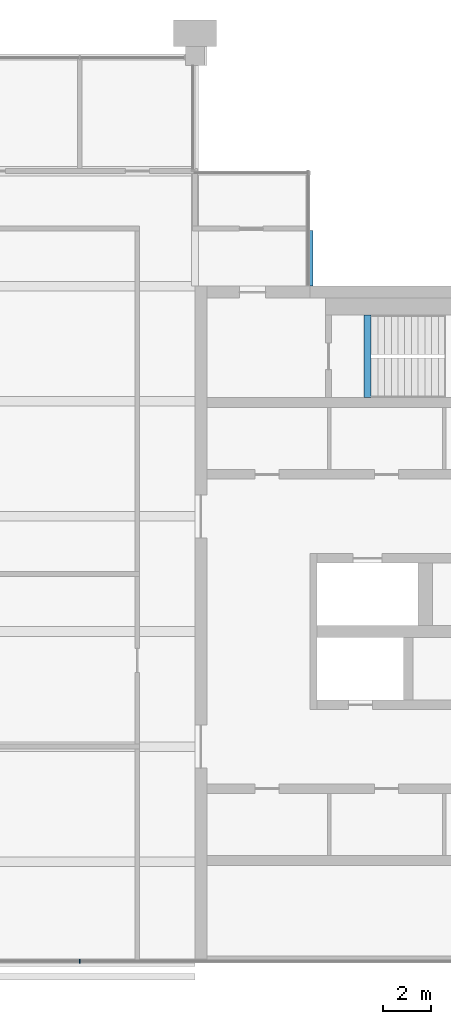
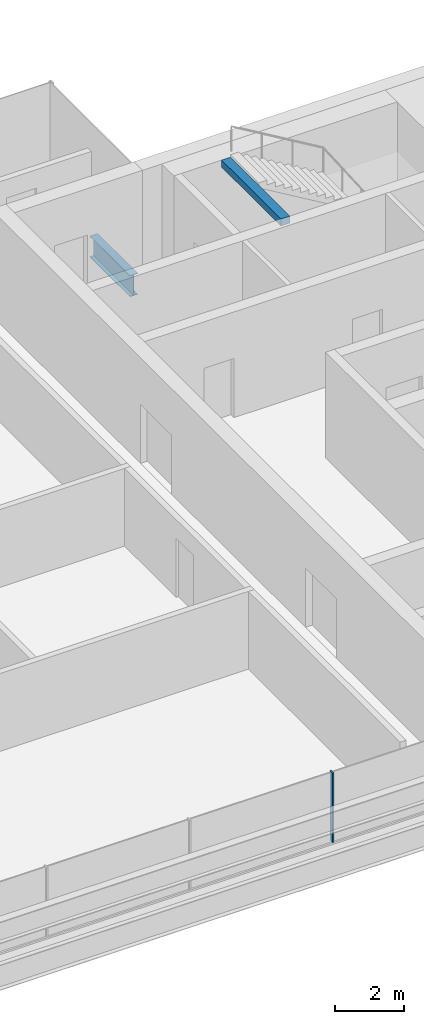
# One storey, part 6 of 12: 2 beams, 1 member, 1 element without a shape of its own.
"""IFC4 building model written with IfcOpenShell, lengths in metres."""

from ifc_helpers import new_model, si_unit, direction, frame, origin, origin_2d, place, context, subcontext, project, spatial, rectangle, i_section, extrude, material, material_profile, profile_set, type_object, element, aggregate, save


model = new_model("IFC4")

# Units and contexts
model_context = context("Model", 3, precision=1e-05, world=origin(), true_north=direction((0.0, 1.0)))
body_context = subcontext(model_context, "Body", "Model", "MODEL_VIEW")
ifc_project = project(units=[si_unit("LENGTHUNIT", "METRE"), si_unit("AREAUNIT", "SQUARE_METRE"), si_unit("VOLUMEUNIT", "CUBIC_METRE"), si_unit("PLANEANGLEUNIT", "RADIAN"), si_unit("MASSUNIT", "GRAM", prefix="KILO")], contexts=[model_context])

# Site, building, storey
site_placement = place(None, origin())
site = spatial("IfcSite", under=ifc_project, at=site_placement, CompositionType="ELEMENT")
building_placement = place(site_placement, origin())
building = spatial("IfcBuilding", under=site, at=building_placement, Name="Baori Bourse Tower", CompositionType="ELEMENT")
storey_placement = place(building_placement, frame((0.0, 0.0, 370.300048828125)))
storey = spatial("IfcBuildingStorey", under=building, at=storey_placement, Name="L83", CompositionType="ELEMENT", Elevation=370.300048828125)

# Curtain wall, member
ifc_material_1 = material(Name="Pale anodised aluminium", Category="aluminium")
curtain_wall_type = type_object("IfcCurtainWallType", Name="CW3 Curtain wall", PredefinedType="NOTDEFINED", material=ifc_material_1)
curtain_wall_placement = place(storey_placement, origin())
curtain_wall = element("IfcCurtainWall", 1, at=curtain_wall_placement, inside=storey, type_object=curtain_wall_type, Name="Curtain wall CW3 L83 1", PredefinedType="NOTDEFINED")
ifc_material_2 = material(Name="Pale anodised aluminium", Category="aluminium")
ifc_material_profile_1 = material_profile(ifc_material_2, rectangle(XDim=0.159912109375, YDim=0.050048828125, at=origin_2d()), Name="Mullion 50x160")
ifc_profile_set_1 = profile_set([ifc_material_profile_1], Name="Pale anodised aluminium")
member_type = type_object("IfcMemberType", Name="CW3 Curtain wall mullion", PredefinedType="MULLION", material=ifc_profile_set_1)
member_placement = place(storey_placement, frame((33.60009765625, 10.2529296875, 0.06005859375), z_axis=(0.0, 0.0, 1.0), x_axis=(0.0, 1.0, 0.0)))
member = element("IfcMember", 2, at=member_placement, type_object=member_type, Name="Curtain wall CW3 mullion", PredefinedType="MULLION", context=body_context, shape_type="SweptSolid", body=[
    extrude(rectangle(XDim=0.159912109375, YDim=0.050048828125, at=origin_2d()), origin(), (0.0, 0.0, 1.0), 2.469970703125),
])
aggregate(curtain_wall, [member])

# Beams
ifc_material_3 = material(Name="Steel A992 Gr 50", Category="steel")
ifc_material_profile_2 = material_profile(ifc_material_3, i_section(OverallWidth=0.26416015625, OverallDepth=0.749267578125, WebThickness=0.011962890625, FlangeThickness=0.015380859375, at=origin_2d()), Name="W30x90")
ifc_profile_set_2 = profile_set([ifc_material_profile_2], Name="Steel A992 Gr 50")
beam_type_1 = type_object("IfcBeamType", Name="Core bracket W30x90", PredefinedType="BEAM", material=ifc_profile_set_2)
beam_1_placement = place(storey_placement, frame((43.199951171875, 38.39990234375, -0.624755859375), z_axis=(0.0, 1.0, 0.0), x_axis=(-1.0, 0.0, 0.0)))
element("IfcBeam", 3, at=beam_1_placement, inside=storey, type_object=beam_type_1, Name="Core bracket L83", PredefinedType="BEAM", context=body_context, shape_type="SweptSolid", body=[
    extrude(i_section(OverallWidth=0.26416015625, OverallDepth=0.749267578125, WebThickness=0.011962890625, FlangeThickness=0.015380859375, at=origin_2d()), origin(), (0.0, 0.0, 1.0), 2.329833984375),
])
ifc_material_4 = material(Name="Concrete f'c 50 MPa", Category="concrete")
ifc_material_profile_3 = material_profile(ifc_material_4, rectangle(XDim=0.300048828125, YDim=0.25, at=origin_2d()), Name="RC 300x250")
ifc_profile_set_3 = profile_set([ifc_material_profile_3], Name="Concrete f'c 50 MPa")
beam_type_2 = type_object("IfcBeamType", Name="Stair nib beam RC 300x250", PredefinedType="BEAM", material=ifc_profile_set_3)
beam_2_placement = place(storey_placement, frame((45.60009765625, 33.75, 3.625), z_axis=(0.0, 1.0, 0.0), x_axis=(-1.0, 0.0, 0.0)))
element("IfcBeam", 4, at=beam_2_placement, inside=storey, type_object=beam_type_2, Name="Stair EB nib beam L84", PredefinedType="BEAM", context=body_context, shape_type="SweptSolid", body=[
    extrude(rectangle(XDim=0.300048828125, YDim=0.25, at=origin_2d()), origin(), (0.0, 0.0, 1.0), 3.449951171875),
])

save(model, "model.ifc")
